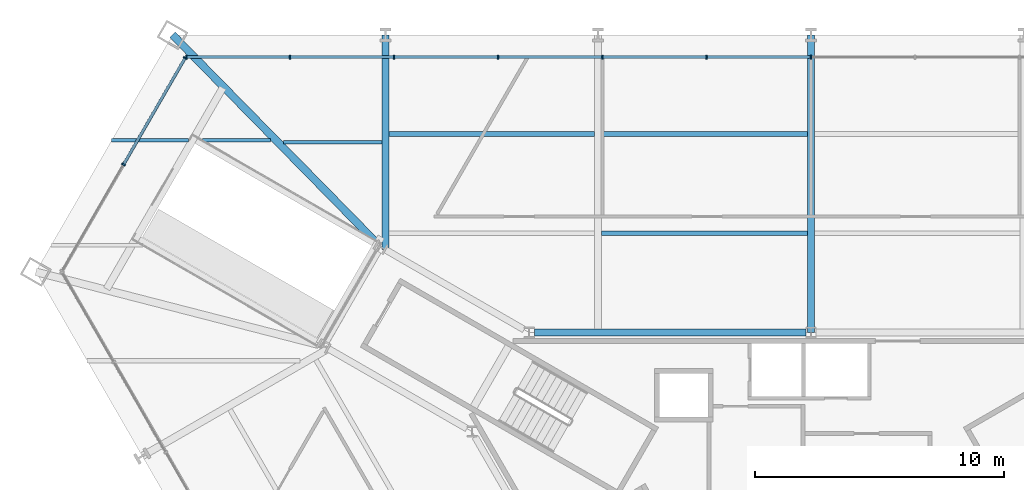
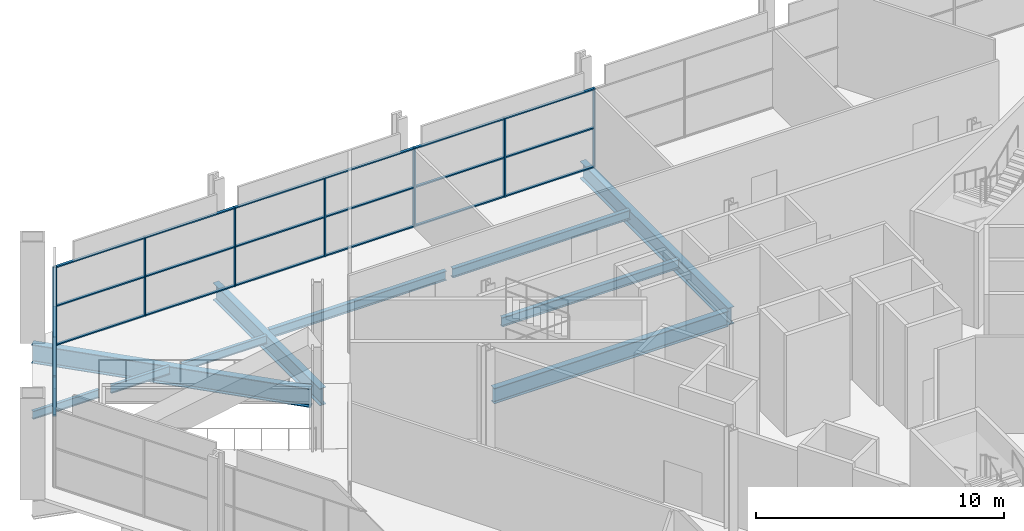
# One storey, part 7 of 20: 30 members, 10 beams, 2 elements without a shape of their own.
"""IFC4 building model written with IfcOpenShell, lengths in metres."""

from ifc_helpers import new_model, si_unit, direction, frame, origin, origin_2d, place, context, subcontext, project, spatial, rectangle, i_section, extrude, material, layer, layer_set, material_profile, profile_set, type_object, element, aggregate, save


model = new_model("IFC4")

# Units and contexts
model_context = context("Model", 3, precision=1e-05, world=origin(), true_north=direction((0.0, 1.0)))
body_context = subcontext(model_context, "Body", "Model", "MODEL_VIEW")
ifc_project = project(units=[si_unit("LENGTHUNIT", "METRE"), si_unit("AREAUNIT", "SQUARE_METRE"), si_unit("VOLUMEUNIT", "CUBIC_METRE"), si_unit("PLANEANGLEUNIT", "RADIAN"), si_unit("MASSUNIT", "GRAM", prefix="KILO")], contexts=[model_context])

# Site, building, storey
site_placement = place(None, origin())
site = spatial("IfcSite", under=ifc_project, at=site_placement, CompositionType="ELEMENT")
building_placement = place(site_placement, origin())
building = spatial("IfcBuilding", under=site, at=building_placement, Name="Verrane Prism Tower", CompositionType="ELEMENT")
storey_placement = place(building_placement, frame((0.0, 0.0, 17.39990234375)))
storey = spatial("IfcBuildingStorey", under=building, at=storey_placement, Name="L02", CompositionType="ELEMENT", Elevation=17.39990234375)

# Curtain wall, members
ifc_material_1 = material(Name="Aluminium and glass curtain wall", Category="aluminium")
ifc_layer = layer(ifc_material_1, 0.199951171875)
ifc_layer_set = layer_set([ifc_layer], Name="CWB-1 retail curtain wall")
curtain_wall_type = type_object("IfcCurtainWallType", Name="CWB-1 retail curtain wall", PredefinedType="NOTDEFINED", material=ifc_layer_set)
curtain_wall_1_placement = place(storey_placement, origin())
curtain_wall_1 = element("IfcCurtainWall", 1, at=curtain_wall_1_placement, inside=storey, type_object=curtain_wall_type, Name="Retail curtain wall L02 2", PredefinedType="NOTDEFINED")
ifc_material_2 = material(Name="Aluminium", Category="aluminium")
ifc_material_profile_1 = material_profile(ifc_material_2, rectangle(XDim=0.159912109375, YDim=0.06005859375, at=origin_2d()), Name="CWB-M 60x160 mullion")
ifc_profile_set_1 = profile_set([ifc_material_profile_1], Name="Aluminium")
member_type_1 = type_object("IfcMemberType", Name="CWB-M 60x160 mullion", PredefinedType="MULLION", material=ifc_profile_set_1)
member_1_placement = place(storey_placement, frame((0.0, 20.27001953125, 0.0), z_axis=(0.0, 0.0, 1.0), x_axis=(0.0, -1.0, 0.0)))
member_1 = element("IfcMember", 2, at=member_1_placement, type_object=member_type_1, Name="CWB22 mullion 7", PredefinedType="MULLION", context=body_context, shape_type="SweptSolid", body=[
    extrude(rectangle(XDim=0.159912109375, YDim=0.06005859375, at=origin_2d()), origin(), (0.0, 0.0, 1.0), 3.89013671875),
])
member_2_placement = place(storey_placement, frame((-4.19140625, 20.27001953125, 0.0), z_axis=(0.0, 0.0, 1.0), x_axis=(0.0, -1.0, 0.0)))
member_2 = element("IfcMember", 3, at=member_2_placement, type_object=member_type_1, Name="CWB22 mullion 8", PredefinedType="MULLION", context=body_context, shape_type="SweptSolid", body=[
    extrude(rectangle(XDim=0.159912109375, YDim=0.06005859375, at=origin_2d()), origin(), (0.0, 0.0, 1.0), 3.89013671875),
])
member_3_placement = place(storey_placement, frame((-8.382568359375, 20.27001953125, 0.0), z_axis=(0.0, 0.0, 1.0), x_axis=(0.0, -1.0, 0.0)))
member_3 = element("IfcMember", 4, at=member_3_placement, type_object=member_type_1, Name="CWB22 mullion 9", PredefinedType="MULLION", context=body_context, shape_type="SweptSolid", body=[
    extrude(rectangle(XDim=0.159912109375, YDim=0.06005859375, at=origin_2d()), origin(), (0.0, 0.0, 1.0), 3.89013671875),
])
member_4_placement = place(storey_placement, frame((-12.573974609375, 20.27001953125, 0.0), z_axis=(0.0, 0.0, 1.0), x_axis=(0.0, -1.0, 0.0)))
member_4 = element("IfcMember", 5, at=member_4_placement, type_object=member_type_1, Name="CWB22 mullion 10", PredefinedType="MULLION", context=body_context, shape_type="SweptSolid", body=[
    extrude(rectangle(XDim=0.159912109375, YDim=0.06005859375, at=origin_2d()), origin(), (0.0, 0.0, 1.0), 3.89013671875),
])
member_5_placement = place(storey_placement, frame((-16.76513671875, 20.27001953125, 0.0), z_axis=(0.0, 0.0, 1.0), x_axis=(0.0, -1.0, 0.0)))
member_5 = element("IfcMember", 6, at=member_5_placement, type_object=member_type_1, Name="CWB22 mullion 11", PredefinedType="MULLION", context=body_context, shape_type="SweptSolid", body=[
    extrude(rectangle(XDim=0.159912109375, YDim=0.06005859375, at=origin_2d()), origin(), (0.0, 0.0, 1.0), 3.89013671875),
])
member_6_placement = place(storey_placement, frame((-20.95654296875, 20.27001953125, 0.0), z_axis=(0.0, 0.0, 1.0), x_axis=(0.0, -1.0, 0.0)))
member_6 = element("IfcMember", 7, at=member_6_placement, type_object=member_type_1, Name="CWB22 mullion 12", PredefinedType="MULLION", context=body_context, shape_type="SweptSolid", body=[
    extrude(rectangle(XDim=0.159912109375, YDim=0.06005859375, at=origin_2d()), origin(), (0.0, 0.0, 1.0), 3.89013671875),
])
member_7_placement = place(storey_placement, frame((-25.117919921875, 20.27001953125, 0.0), z_axis=(0.0, 0.0, 1.0), x_axis=(0.0, -1.0, 0.0)))
member_7 = element("IfcMember", 8, at=member_7_placement, type_object=member_type_1, Name="CWB22 mullion 13", PredefinedType="MULLION", context=body_context, shape_type="SweptSolid", body=[
    extrude(rectangle(XDim=0.159912109375, YDim=0.06005859375, at=origin_2d()), origin(), (0.0, 0.0, 1.0), 3.89013671875),
])

curtain_wall_2_placement = place(storey_placement, origin())
curtain_wall_2 = element("IfcCurtainWall", 9, at=curtain_wall_2_placement, inside=storey, type_object=curtain_wall_type, Name="Retail curtain wall L02 3", PredefinedType="NOTDEFINED")
member_8_placement = place(storey_placement, frame((-25.162841796875, 20.244140625, 0.0), z_axis=(0.0, 0.0, 1.0), x_axis=(0.866025871, -0.499999190758, 0.0)))
member_8 = element("IfcMember", 10, at=member_8_placement, type_object=member_type_1, Name="CWB23 mullion 1", PredefinedType="MULLION", context=body_context, shape_type="SweptSolid", body=[
    extrude(rectangle(XDim=0.159912109375, YDim=0.06005859375, at=origin_2d()), origin(), (0.0, 0.0, 1.0), 3.89013671875),
])
member_9_placement = place(storey_placement, frame((-27.63818359375, 15.956787109375, 0.0), z_axis=(0.0, 0.0, 1.0), x_axis=(0.866025871, -0.499999190758, 0.0)))
member_9 = element("IfcMember", 11, at=member_9_placement, type_object=member_type_1, Name="CWB23 mullion 2", PredefinedType="MULLION", context=body_context, shape_type="SweptSolid", body=[
    extrude(rectangle(XDim=0.159912109375, YDim=0.06005859375, at=origin_2d()), origin(), (0.0, 0.0, 1.0), 3.89013671875),
])

# Member
ifc_material_3 = material(Name="Aluminium", Category="aluminium")
ifc_material_profile_2 = material_profile(ifc_material_3, rectangle(XDim=0.1201171875, YDim=0.06005859375, at=origin_2d()), Name="CWB-T 60x120 transom")
ifc_profile_set_2 = profile_set([ifc_material_profile_2], Name="Aluminium")
member_type_2 = type_object("IfcMemberType", Name="CWB-T 60x120 transom", PredefinedType="USERDEFINED", material=ifc_profile_set_2)
member_10_placement = place(storey_placement, frame((-0.030029296875, 20.27001953125, 0.030029296875), z_axis=(-1.0, 0.0, 0.0), x_axis=(0.0, -1.0, 0.0)))
member_10 = element("IfcMember", 12, at=member_10_placement, type_object=member_type_2, Name="CWB22 transom 7.1", ObjectType="TRANSOM", PredefinedType="USERDEFINED", context=body_context, shape_type="SweptSolid", body=[
    extrude(rectangle(XDim=0.1201171875, YDim=0.06005859375, at=origin_2d()), origin(), (0.0, 0.0, 1.0), 4.13134765625),
])

member_11_placement = place(storey_placement, frame((-0.030029296875, 20.27001953125, 1.945068359375), z_axis=(-1.0, 0.0, 0.0), x_axis=(0.0, -1.0, 0.0)))
member_11 = element("IfcMember", 13, at=member_11_placement, type_object=member_type_2, Name="CWB22 transom 7.2", ObjectType="TRANSOM", PredefinedType="USERDEFINED", context=body_context, shape_type="SweptSolid", body=[
    extrude(rectangle(XDim=0.1201171875, YDim=0.06005859375, at=origin_2d()), origin(), (0.0, 0.0, 1.0), 4.13134765625),
])

member_12_placement = place(storey_placement, frame((-0.030029296875, 20.27001953125, 3.860107421875), z_axis=(-1.0, 0.0, 0.0), x_axis=(0.0, -1.0, 0.0)))
member_12 = element("IfcMember", 14, at=member_12_placement, type_object=member_type_2, Name="CWB22 transom 7.3", ObjectType="TRANSOM", PredefinedType="USERDEFINED", context=body_context, shape_type="SweptSolid", body=[
    extrude(rectangle(XDim=0.1201171875, YDim=0.06005859375, at=origin_2d()), origin(), (0.0, 0.0, 1.0), 4.13134765625),
])

member_13_placement = place(storey_placement, frame((-4.221435546875, 20.27001953125, 0.030029296875), z_axis=(-1.0, 0.0, 0.0), x_axis=(0.0, -1.0, 0.0)))
member_13 = element("IfcMember", 15, at=member_13_placement, type_object=member_type_2, Name="CWB22 transom 8.1", ObjectType="TRANSOM", PredefinedType="USERDEFINED", context=body_context, shape_type="SweptSolid", body=[
    extrude(rectangle(XDim=0.1201171875, YDim=0.06005859375, at=origin_2d()), origin(), (0.0, 0.0, 1.0), 4.131103515625),
])

member_14_placement = place(storey_placement, frame((-4.221435546875, 20.27001953125, 1.945068359375), z_axis=(-1.0, 0.0, 0.0), x_axis=(0.0, -1.0, 0.0)))
member_14 = element("IfcMember", 16, at=member_14_placement, type_object=member_type_2, Name="CWB22 transom 8.2", ObjectType="TRANSOM", PredefinedType="USERDEFINED", context=body_context, shape_type="SweptSolid", body=[
    extrude(rectangle(XDim=0.1201171875, YDim=0.06005859375, at=origin_2d()), origin(), (0.0, 0.0, 1.0), 4.131103515625),
])

member_15_placement = place(storey_placement, frame((-4.221435546875, 20.27001953125, 3.860107421875), z_axis=(-1.0, 0.0, 0.0), x_axis=(0.0, -1.0, 0.0)))
member_15 = element("IfcMember", 17, at=member_15_placement, type_object=member_type_2, Name="CWB22 transom 8.3", ObjectType="TRANSOM", PredefinedType="USERDEFINED", context=body_context, shape_type="SweptSolid", body=[
    extrude(rectangle(XDim=0.1201171875, YDim=0.06005859375, at=origin_2d()), origin(), (0.0, 0.0, 1.0), 4.131103515625),
])

member_16_placement = place(storey_placement, frame((-8.41259765625, 20.27001953125, 0.030029296875), z_axis=(-1.0, 0.0, 0.0), x_axis=(0.0, -1.0, 0.0)))
member_16 = element("IfcMember", 18, at=member_16_placement, type_object=member_type_2, Name="CWB22 transom 9.1", ObjectType="TRANSOM", PredefinedType="USERDEFINED", context=body_context, shape_type="SweptSolid", body=[
    extrude(rectangle(XDim=0.1201171875, YDim=0.06005859375, at=origin_2d()), origin(), (0.0, 0.0, 1.0), 4.13134765625),
])

member_17_placement = place(storey_placement, frame((-8.41259765625, 20.27001953125, 1.945068359375), z_axis=(-1.0, 0.0, 0.0), x_axis=(0.0, -1.0, 0.0)))
member_17 = element("IfcMember", 19, at=member_17_placement, type_object=member_type_2, Name="CWB22 transom 9.2", ObjectType="TRANSOM", PredefinedType="USERDEFINED", context=body_context, shape_type="SweptSolid", body=[
    extrude(rectangle(XDim=0.1201171875, YDim=0.06005859375, at=origin_2d()), origin(), (0.0, 0.0, 1.0), 4.13134765625),
])

member_18_placement = place(storey_placement, frame((-8.41259765625, 20.27001953125, 3.860107421875), z_axis=(-1.0, 0.0, 0.0), x_axis=(0.0, -1.0, 0.0)))
member_18 = element("IfcMember", 20, at=member_18_placement, type_object=member_type_2, Name="CWB22 transom 9.3", ObjectType="TRANSOM", PredefinedType="USERDEFINED", context=body_context, shape_type="SweptSolid", body=[
    extrude(rectangle(XDim=0.1201171875, YDim=0.06005859375, at=origin_2d()), origin(), (0.0, 0.0, 1.0), 4.13134765625),
])

member_19_placement = place(storey_placement, frame((-12.60400390625, 20.27001953125, 0.030029296875), z_axis=(-1.0, 0.0, 0.0), x_axis=(0.0, -1.0, 0.0)))
member_19 = element("IfcMember", 21, at=member_19_placement, type_object=member_type_2, Name="CWB22 transom 10.1", ObjectType="TRANSOM", PredefinedType="USERDEFINED", context=body_context, shape_type="SweptSolid", body=[
    extrude(rectangle(XDim=0.1201171875, YDim=0.06005859375, at=origin_2d()), origin(), (0.0, 0.0, 1.0), 4.13134765625),
])

member_20_placement = place(storey_placement, frame((-12.60400390625, 20.27001953125, 1.945068359375), z_axis=(-1.0, 0.0, 0.0), x_axis=(0.0, -1.0, 0.0)))
member_20 = element("IfcMember", 22, at=member_20_placement, type_object=member_type_2, Name="CWB22 transom 10.2", ObjectType="TRANSOM", PredefinedType="USERDEFINED", context=body_context, shape_type="SweptSolid", body=[
    extrude(rectangle(XDim=0.1201171875, YDim=0.06005859375, at=origin_2d()), origin(), (0.0, 0.0, 1.0), 4.13134765625),
])

member_21_placement = place(storey_placement, frame((-12.60400390625, 20.27001953125, 3.860107421875), z_axis=(-1.0, 0.0, 0.0), x_axis=(0.0, -1.0, 0.0)))
member_21 = element("IfcMember", 23, at=member_21_placement, type_object=member_type_2, Name="CWB22 transom 10.3", ObjectType="TRANSOM", PredefinedType="USERDEFINED", context=body_context, shape_type="SweptSolid", body=[
    extrude(rectangle(XDim=0.1201171875, YDim=0.06005859375, at=origin_2d()), origin(), (0.0, 0.0, 1.0), 4.13134765625),
])

member_22_placement = place(storey_placement, frame((-16.795166015625, 20.27001953125, 0.030029296875), z_axis=(-1.0, 0.0, 0.0), x_axis=(0.0, -1.0, 0.0)))
member_22 = element("IfcMember", 24, at=member_22_placement, type_object=member_type_2, Name="CWB22 transom 11.1", ObjectType="TRANSOM", PredefinedType="USERDEFINED", context=body_context, shape_type="SweptSolid", body=[
    extrude(rectangle(XDim=0.1201171875, YDim=0.06005859375, at=origin_2d()), origin(), (0.0, 0.0, 1.0), 4.13134765625),
])

member_23_placement = place(storey_placement, frame((-16.795166015625, 20.27001953125, 1.945068359375), z_axis=(-1.0, 0.0, 0.0), x_axis=(0.0, -1.0, 0.0)))
member_23 = element("IfcMember", 25, at=member_23_placement, type_object=member_type_2, Name="CWB22 transom 11.2", ObjectType="TRANSOM", PredefinedType="USERDEFINED", context=body_context, shape_type="SweptSolid", body=[
    extrude(rectangle(XDim=0.1201171875, YDim=0.06005859375, at=origin_2d()), origin(), (0.0, 0.0, 1.0), 4.13134765625),
])

member_24_placement = place(storey_placement, frame((-16.795166015625, 20.27001953125, 3.860107421875), z_axis=(-1.0, 0.0, 0.0), x_axis=(0.0, -1.0, 0.0)))
member_24 = element("IfcMember", 26, at=member_24_placement, type_object=member_type_2, Name="CWB22 transom 11.3", ObjectType="TRANSOM", PredefinedType="USERDEFINED", context=body_context, shape_type="SweptSolid", body=[
    extrude(rectangle(XDim=0.1201171875, YDim=0.06005859375, at=origin_2d()), origin(), (0.0, 0.0, 1.0), 4.13134765625),
])

member_25_placement = place(storey_placement, frame((-20.986572265625, 20.27001953125, 0.030029296875), z_axis=(-1.0, 0.0, 0.0), x_axis=(0.0, -1.0, 0.0)))
member_25 = element("IfcMember", 27, at=member_25_placement, type_object=member_type_2, Name="CWB22 transom 12.1", ObjectType="TRANSOM", PredefinedType="USERDEFINED", context=body_context, shape_type="SweptSolid", body=[
    extrude(rectangle(XDim=0.1201171875, YDim=0.06005859375, at=origin_2d()), origin(), (0.0, 0.0, 1.0), 4.101318359375),
])

member_26_placement = place(storey_placement, frame((-20.986572265625, 20.27001953125, 1.945068359375), z_axis=(-1.0, 0.0, 0.0), x_axis=(0.0, -1.0, 0.0)))
member_26 = element("IfcMember", 28, at=member_26_placement, type_object=member_type_2, Name="CWB22 transom 12.2", ObjectType="TRANSOM", PredefinedType="USERDEFINED", context=body_context, shape_type="SweptSolid", body=[
    extrude(rectangle(XDim=0.1201171875, YDim=0.06005859375, at=origin_2d()), origin(), (0.0, 0.0, 1.0), 4.101318359375),
])

member_27_placement = place(storey_placement, frame((-20.986572265625, 20.27001953125, 3.860107421875), z_axis=(-1.0, 0.0, 0.0), x_axis=(0.0, -1.0, 0.0)))
member_27 = element("IfcMember", 29, at=member_27_placement, type_object=member_type_2, Name="CWB22 transom 12.3", ObjectType="TRANSOM", PredefinedType="USERDEFINED", context=body_context, shape_type="SweptSolid", body=[
    extrude(rectangle(XDim=0.1201171875, YDim=0.06005859375, at=origin_2d()), origin(), (0.0, 0.0, 1.0), 4.101318359375),
])

aggregate(curtain_wall_1, [member_1, member_2, member_3, member_4, member_5, member_6, member_7, member_10, member_11, member_12, member_13, member_14, member_15, member_16, member_17, member_18, member_19, member_20, member_21, member_22, member_23, member_24, member_25, member_26, member_27])

member_28_placement = place(storey_placement, frame((-25.177978515625, 20.218017578125, 0.030029296875), z_axis=(-0.499988949793, -0.86603178353, 0.0), x_axis=(0.86603178353, -0.499988949793, 0.0)))
member_28 = element("IfcMember", 30, at=member_28_placement, type_object=member_type_2, Name="CWB23 transom 1.1", ObjectType="TRANSOM", PredefinedType="USERDEFINED", context=body_context, shape_type="SweptSolid", body=[
    extrude(rectangle(XDim=0.1201171875, YDim=0.06005859375, at=origin_2d()), origin(), (0.0, 0.0, 1.0), 4.89013671875),
])

member_29_placement = place(storey_placement, frame((-25.177978515625, 20.218017578125, 1.945068359375), z_axis=(-0.499988949793, -0.86603178353, 0.0), x_axis=(0.86603178353, -0.499988949793, 0.0)))
member_29 = element("IfcMember", 31, at=member_29_placement, type_object=member_type_2, Name="CWB23 transom 1.2", ObjectType="TRANSOM", PredefinedType="USERDEFINED", context=body_context, shape_type="SweptSolid", body=[
    extrude(rectangle(XDim=0.1201171875, YDim=0.06005859375, at=origin_2d()), origin(), (0.0, 0.0, 1.0), 4.89013671875),
])

member_30_placement = place(storey_placement, frame((-25.177978515625, 20.218017578125, 3.860107421875), z_axis=(-0.499988949793, -0.86603178353, 0.0), x_axis=(0.86603178353, -0.499988949793, 0.0)))
member_30 = element("IfcMember", 32, at=member_30_placement, type_object=member_type_2, Name="CWB23 transom 1.3", ObjectType="TRANSOM", PredefinedType="USERDEFINED", context=body_context, shape_type="SweptSolid", body=[
    extrude(rectangle(XDim=0.1201171875, YDim=0.06005859375, at=origin_2d()), origin(), (0.0, 0.0, 1.0), 4.89013671875),
])

aggregate(curtain_wall_2, [member_8, member_9, member_28, member_29, member_30])

# Beams
ifc_material_4 = material(Name="Steel A992", Category="steel")
ifc_material_profile_3 = material_profile(ifc_material_4, i_section(OverallWidth=0.2666015625, OverallDepth=0.76708984375, WebThickness=0.014892578125, FlangeThickness=0.023681640625, FilletRadius=0.0166015625, at=origin_2d()), Name="W30x124")
ifc_profile_set_3 = profile_set([ifc_material_profile_3], Name="Steel A992")
beam_type_1 = type_object("IfcBeamType", Name="Core ring girder W30x124", PredefinedType="BEAM", material=ifc_profile_set_3)
beam_1_placement = place(storey_placement, frame((-0.205810546875, 9.199951171875, -0.63330078125), z_axis=(-1.0, 0.0, 0.0), x_axis=(0.0, -1.0, 0.0)))
element("IfcBeam", 33, at=beam_1_placement, inside=storey, type_object=beam_type_1, Name="Core ring girder L02", PredefinedType="BEAM", context=body_context, shape_type="SweptSolid", body=[
    extrude(i_section(OverallWidth=0.2666015625, OverallDepth=0.76708984375, WebThickness=0.014892578125, FlangeThickness=0.023681640625, FilletRadius=0.0166015625, at=origin_2d()), origin(), (0.0, 0.0, 1.0), 10.91845703125),
])
ifc_material_5 = material(Name="Steel A992", Category="steel")
ifc_material_profile_4 = material_profile(ifc_material_5, i_section(OverallWidth=0.307373046875, OverallDepth=0.927001953125, WebThickness=0.01953125, FlangeThickness=0.031982421875, FilletRadius=0.01904296875, at=origin_2d()), Name="W36x194")
ifc_profile_set_4 = profile_set([ifc_material_profile_4], Name="Steel A992")
beam_type_2 = type_object("IfcBeamType", Name="Corner girder W36x194", PredefinedType="BEAM", material=ifc_profile_set_4)
beam_2_placement = place(storey_placement, frame((-25.66845703125, 21.16845703125, -0.68359375), z_axis=(0.700377975453, -0.713772156574, 0.0), x_axis=(0.713772156574, 0.700377975453, 0.0)))
element("IfcBeam", 34, at=beam_2_placement, inside=storey, type_object=beam_type_2, Name="Corner girder L02", PredefinedType="BEAM", context=body_context, shape_type="SweptSolid", body=[
    extrude(i_section(OverallWidth=0.307373046875, OverallDepth=0.927001953125, WebThickness=0.01953125, FlangeThickness=0.031982421875, FilletRadius=0.01904296875, at=origin_2d()), origin(), (0.0, 0.0, 1.0), 11.701904296875),
])
ifc_material_6 = material(Name="Steel A992", Category="steel")
ifc_material_profile_5 = material_profile(ifc_material_6, i_section(OverallWidth=0.140380859375, OverallDepth=0.40380859375, WebThickness=0.007080078125, FlangeThickness=0.01123046875, FilletRadius=0.01025390625, at=origin_2d()), Name="W16x31")
ifc_profile_set_5 = profile_set([ifc_material_profile_5], Name="Steel A992")
beam_type_3 = type_object("IfcBeamType", Name="Floor beam W16x31", PredefinedType="BEAM", material=ifc_profile_set_5)
beam_3_placement = place(storey_placement, frame((-21.21728515625, 16.85009765625, -0.36181640625), z_axis=(1.0, 0.0, 0.0), x_axis=(0.0, 1.0, 0.0)))
element("IfcBeam", 35, at=beam_3_placement, inside=storey, type_object=beam_type_3, Name="Floor beam L02", PredefinedType="BEAM", context=body_context, shape_type="SweptSolid", body=[
    extrude(i_section(OverallWidth=0.140380859375, OverallDepth=0.40380859375, WebThickness=0.007080078125, FlangeThickness=0.01123046875, FilletRadius=0.01025390625, at=origin_2d()), origin(), (0.0, 0.0, 1.0), 3.961181640625),
])
beam_4_placement = place(storey_placement, frame((-28.114013671875, 16.93505859375, -0.36181640625), z_axis=(1.0, 0.0, 0.0), x_axis=(0.0, 1.0, 0.0)))
element("IfcBeam", 36, at=beam_4_placement, inside=storey, type_object=beam_type_3, Name="Floor beam L02", PredefinedType="BEAM", context=body_context, shape_type="SweptSolid", body=[
    extrude(i_section(OverallWidth=0.140380859375, OverallDepth=0.40380859375, WebThickness=0.007080078125, FlangeThickness=0.01123046875, FilletRadius=0.01025390625, at=origin_2d()), origin(), (0.0, 0.0, 1.0), 3.08349609375),
])
beam_5_placement = place(storey_placement, frame((-24.467529296875, 16.93505859375, -0.36181640625), z_axis=(1.0, 0.0, 0.0), x_axis=(0.0, 1.0, 0.0)))
element("IfcBeam", 37, at=beam_5_placement, inside=storey, type_object=beam_type_3, Name="Floor beam L02", PredefinedType="BEAM", context=body_context, shape_type="SweptSolid", body=[
    extrude(i_section(OverallWidth=0.140380859375, OverallDepth=0.40380859375, WebThickness=0.007080078125, FlangeThickness=0.01123046875, FilletRadius=0.01025390625, at=origin_2d()), origin(), (0.0, 0.0, 1.0), 2.73681640625),
])
ifc_material_7 = material(Name="Steel A992", Category="steel")
ifc_material_profile_6 = material_profile(ifc_material_7, i_section(OverallWidth=0.1904296875, OverallDepth=0.457275390625, WebThickness=0.009033203125, FlangeThickness=0.014404296875, FilletRadius=0.01025390625, at=origin_2d()), Name="W18x50")
ifc_profile_set_6 = profile_set([ifc_material_profile_6], Name="Steel A992")
beam_type_4 = type_object("IfcBeamType", Name="Floor beam W18x50", PredefinedType="BEAM", material=ifc_profile_set_6)
for number, where, z_axis, x_axis, name in (
    (38, (-8.4140625, 13.18994140625, -0.388427734375), (1.0, 0.0, 0.0), (0.0, 1.0, 0.0), "Floor beam L02"),
    (39, (-8.4140625, 17.179931640625, -0.388427734375), (1.0, 0.0, 0.0), (0.0, 1.0, 0.0), "Floor beam L02"),
):
    element("IfcBeam", number, at=place(storey_placement, frame(where, z_axis=z_axis, x_axis=x_axis)), inside=storey, type_object=beam_type_4, Name=name, PredefinedType="BEAM", context=body_context, shape_type="SweptSolid", body=[
        extrude(i_section(OverallWidth=0.1904296875, OverallDepth=0.457275390625, WebThickness=0.009033203125, FlangeThickness=0.014404296875, FilletRadius=0.01025390625, at=origin_2d()), origin(), (0.0, 0.0, 1.0), 8.26806640625),
    ])
beam_6_placement = place(storey_placement, frame((-16.964111328125, 17.179931640625, -0.388427734375), z_axis=(1.0, 0.0, 0.0), x_axis=(0.0, 1.0, 0.0)))
element("IfcBeam", 40, at=beam_6_placement, inside=storey, type_object=beam_type_4, Name="Floor beam L02", PredefinedType="BEAM", context=body_context, shape_type="SweptSolid", body=[
    extrude(i_section(OverallWidth=0.1904296875, OverallDepth=0.457275390625, WebThickness=0.009033203125, FlangeThickness=0.014404296875, FilletRadius=0.01025390625, at=origin_2d()), origin(), (0.0, 0.0, 1.0), 8.258056640625),
])
ifc_material_8 = material(Name="Steel A992", Category="steel")
ifc_material_profile_7 = material_profile(ifc_material_8, i_section(OverallWidth=0.2919921875, OverallDepth=0.845703125, WebThickness=0.015380859375, FlangeThickness=0.0244140625, FilletRadius=0.017822265625, at=origin_2d()), Name="W33x141")
ifc_profile_set_7 = profile_set([ifc_material_profile_7], Name="Steel A992")
beam_type_5 = type_object("IfcBeamType", Name="Radial girder W33x141", PredefinedType="BEAM", material=ifc_profile_set_7)
beam_7_placement = place(storey_placement, frame((0.0, 21.169921875, -0.642822265625), z_axis=(0.0, -1.0, 0.0), x_axis=(1.0, 0.0, 0.0)))
element("IfcBeam", 41, at=beam_7_placement, inside=storey, type_object=beam_type_5, Name="Radial girder L02", PredefinedType="BEAM", context=body_context, shape_type="SweptSolid", body=[
    extrude(i_section(OverallWidth=0.2919921875, OverallDepth=0.845703125, WebThickness=0.015380859375, FlangeThickness=0.0244140625, FilletRadius=0.017822265625, at=origin_2d()), origin(), (0.0, 0.0, 1.0), 11.969970703125),
])
beam_8_placement = place(storey_placement, frame((-17.110107421875, 21.169921875, -0.642822265625), z_axis=(0.0, -1.0, 0.0), x_axis=(1.0, 0.0, 0.0)))
element("IfcBeam", 42, at=beam_8_placement, inside=storey, type_object=beam_type_5, Name="Radial girder L02", PredefinedType="BEAM", context=body_context, shape_type="SweptSolid", body=[
    extrude(i_section(OverallWidth=0.2919921875, OverallDepth=0.845703125, WebThickness=0.015380859375, FlangeThickness=0.0244140625, FilletRadius=0.017822265625, at=origin_2d()), origin(), (0.0, 0.0, 1.0), 8.639404296875),
])

save(model, "model.ifc")
